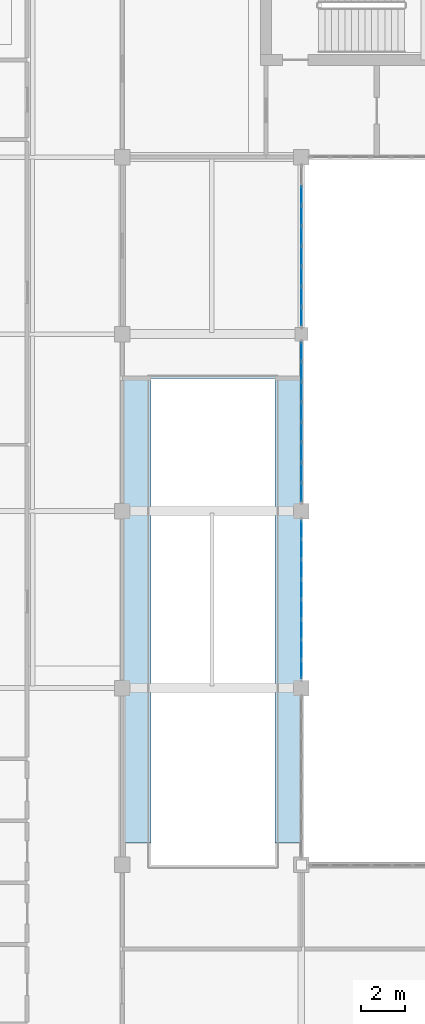
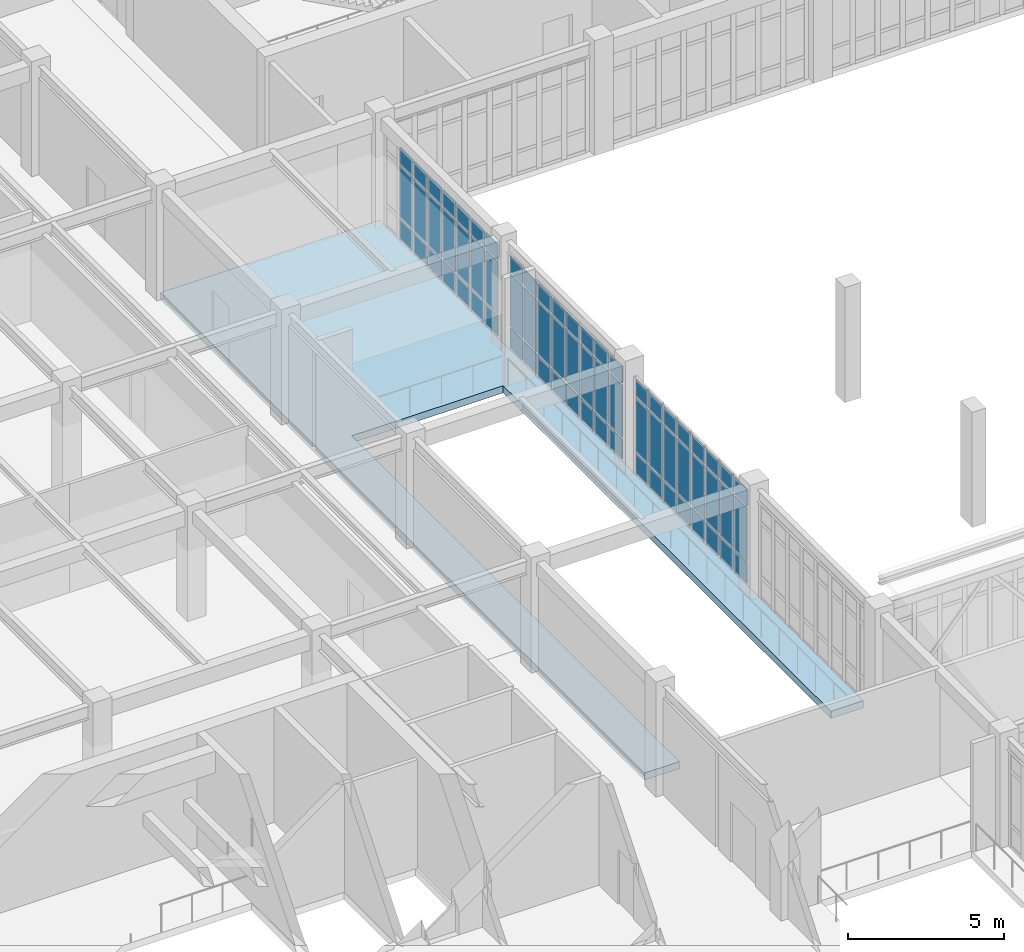
# One storey, part 40 of 67: 69 plates, 1 slab, 3 elements without a shape of their own.
"""IFC4 building model written with IfcOpenShell, lengths in metres."""

from ifc_helpers import new_model, si_unit, direction, frame, origin, origin_2d, place, context, subcontext, project, spatial, polyline, rectangle, outline, extrude, material, layer, layer_set, type_object, element, aggregate, save


model = new_model("IFC4")

# Units and contexts
model_context = context("Model", 3, precision=1e-05, world=origin(), true_north=direction((0.0, 1.0)))
body_context = subcontext(model_context, "Body", "Model", "MODEL_VIEW")
ifc_project = project(units=[si_unit("LENGTHUNIT", "METRE"), si_unit("AREAUNIT", "SQUARE_METRE"), si_unit("VOLUMEUNIT", "CUBIC_METRE"), si_unit("PLANEANGLEUNIT", "RADIAN"), si_unit("MASSUNIT", "GRAM", prefix="KILO")], contexts=[model_context])

# Site, building, storey
site_placement = place(None, origin())
site = spatial("IfcSite", under=ifc_project, at=site_placement, CompositionType="ELEMENT")
building_placement = place(site_placement, origin())
building = spatial("IfcBuilding", under=site, at=building_placement, Name="Tarnveldt Square Police Headquarters", CompositionType="ELEMENT")
storey_placement = place(building_placement, frame((0.0, 0.0, 10.199951171875)))
storey = spatial("IfcBuildingStorey", under=building, at=storey_placement, Name="L02", CompositionType="ELEMENT", Elevation=10.199951171875)

# Curtain wall, plates
ifc_material_1 = material(Name="Triple-glazed low-e laminated vision glass", Category="glass")
curtain_wall_type_1 = type_object("IfcCurtainWallType", Name="CW-WG-727x382", PredefinedType="USERDEFINED", material=ifc_material_1)
curtain_wall_1_placement = place(storey_placement, origin())
curtain_wall_1 = element("IfcCurtainWall", 1, at=curtain_wall_1_placement, inside=storey, type_object=curtain_wall_type_1, Name="L02 Curtain Wall CW-L02-075", ObjectType="GLAZED CURTAIN WALL", PredefinedType="USERDEFINED")
ifc_layer_1 = layer(ifc_material_1, 0.028076171875)
ifc_layer_set_1 = layer_set([ifc_layer_1], Name="Triple-glazed low-e laminated vision glass")
plate_type = type_object("IfcPlateType", Name="CWP-VIS-28", PredefinedType="CURTAIN_PANEL", material=ifc_layer_set_1)
plate_1_placement = place(storey_placement, frame((48.60009765625, 72.838134765625, 0.074951171875), z_axis=(0.0, 0.0, 1.0), x_axis=(0.0, 1.0, 0.0)))
plate_1 = element("IfcPlate", 2, at=plate_1_placement, type_object=plate_type, Name="CW-WG35 panel 1.1", PredefinedType="CURTAIN_PANEL", context=body_context, shape_type="SweptSolid", body=[
    extrude(rectangle(XDim=0.796142578125, YDim=0.028076171875, at=origin_2d()), origin(), (0.0, 0.0, 1.0), 0.78759765625),
])
plate_2_placement = place(storey_placement, frame((48.60009765625, 72.838134765625, 0.9375), z_axis=(0.0, 0.0, 1.0), x_axis=(0.0, 1.0, 0.0)))
plate_2 = element("IfcPlate", 3, at=plate_2_placement, type_object=plate_type, Name="CW-WG35 panel 1.2", PredefinedType="CURTAIN_PANEL", context=body_context, shape_type="SweptSolid", body=[
    extrude(rectangle(XDim=0.796142578125, YDim=0.028076171875, at=origin_2d()), origin(), (0.0, 0.0, 1.0), 2.090087890625),
])
plate_3_placement = place(storey_placement, frame((48.60009765625, 72.838134765625, 3.1025390625), z_axis=(0.0, 0.0, 1.0), x_axis=(0.0, 1.0, 0.0)))
plate_3 = element("IfcPlate", 4, at=plate_3_placement, type_object=plate_type, Name="CW-WG35 panel 1.3", PredefinedType="CURTAIN_PANEL", context=body_context, shape_type="SweptSolid", body=[
    extrude(rectangle(XDim=0.796142578125, YDim=0.028076171875, at=origin_2d()), origin(), (0.0, 0.0, 1.0), 0.637451171875),
])
plate_4_placement = place(storey_placement, frame((48.60009765625, 73.72802734375, 0.074951171875), z_axis=(0.0, 0.0, 1.0), x_axis=(0.0, 1.0, 0.0)))
plate_4 = element("IfcPlate", 5, at=plate_4_placement, type_object=plate_type, Name="CW-WG35 panel 2.1", PredefinedType="CURTAIN_PANEL", context=body_context, shape_type="SweptSolid", body=[
    extrude(rectangle(XDim=0.833740234375, YDim=0.028076171875, at=origin_2d()), origin(), (0.0, 0.0, 1.0), 0.78759765625),
])
plate_5_placement = place(storey_placement, frame((48.60009765625, 73.72802734375, 0.9375), z_axis=(0.0, 0.0, 1.0), x_axis=(0.0, 1.0, 0.0)))
plate_5 = element("IfcPlate", 6, at=plate_5_placement, type_object=plate_type, Name="CW-WG35 panel 2.2", PredefinedType="CURTAIN_PANEL", context=body_context, shape_type="SweptSolid", body=[
    extrude(rectangle(XDim=0.833740234375, YDim=0.028076171875, at=origin_2d()), origin(), (0.0, 0.0, 1.0), 2.090087890625),
])
plate_6_placement = place(storey_placement, frame((48.60009765625, 73.72802734375, 3.1025390625), z_axis=(0.0, 0.0, 1.0), x_axis=(0.0, 1.0, 0.0)))
plate_6 = element("IfcPlate", 7, at=plate_6_placement, type_object=plate_type, Name="CW-WG35 panel 2.3", PredefinedType="CURTAIN_PANEL", context=body_context, shape_type="SweptSolid", body=[
    extrude(rectangle(XDim=0.833740234375, YDim=0.028076171875, at=origin_2d()), origin(), (0.0, 0.0, 1.0), 0.637451171875),
])
plate_7_placement = place(storey_placement, frame((48.60009765625, 74.636962890625, 0.074951171875), z_axis=(0.0, 0.0, 1.0), x_axis=(0.0, 1.0, 0.0)))
plate_7 = element("IfcPlate", 8, at=plate_7_placement, type_object=plate_type, Name="CW-WG35 panel 3.1", PredefinedType="CURTAIN_PANEL", context=body_context, shape_type="SweptSolid", body=[
    extrude(rectangle(XDim=0.833740234375, YDim=0.028076171875, at=origin_2d()), origin(), (0.0, 0.0, 1.0), 0.78759765625),
])
plate_8_placement = place(storey_placement, frame((48.60009765625, 74.636962890625, 0.9375), z_axis=(0.0, 0.0, 1.0), x_axis=(0.0, 1.0, 0.0)))
plate_8 = element("IfcPlate", 9, at=plate_8_placement, type_object=plate_type, Name="CW-WG35 panel 3.2", PredefinedType="CURTAIN_PANEL", context=body_context, shape_type="SweptSolid", body=[
    extrude(rectangle(XDim=0.833740234375, YDim=0.028076171875, at=origin_2d()), origin(), (0.0, 0.0, 1.0), 2.090087890625),
])
plate_9_placement = place(storey_placement, frame((48.60009765625, 74.636962890625, 3.1025390625), z_axis=(0.0, 0.0, 1.0), x_axis=(0.0, 1.0, 0.0)))
plate_9 = element("IfcPlate", 10, at=plate_9_placement, type_object=plate_type, Name="CW-WG35 panel 3.3", PredefinedType="CURTAIN_PANEL", context=body_context, shape_type="SweptSolid", body=[
    extrude(rectangle(XDim=0.833740234375, YDim=0.028076171875, at=origin_2d()), origin(), (0.0, 0.0, 1.0), 0.637451171875),
])
plate_10_placement = place(storey_placement, frame((48.60009765625, 75.545654296875, 0.074951171875), z_axis=(0.0, 0.0, 1.0), x_axis=(0.0, 1.0, 0.0)))
plate_10 = element("IfcPlate", 11, at=plate_10_placement, type_object=plate_type, Name="CW-WG35 panel 4.1", PredefinedType="CURTAIN_PANEL", context=body_context, shape_type="SweptSolid", body=[
    extrude(rectangle(XDim=0.833740234375, YDim=0.028076171875, at=origin_2d()), origin(), (0.0, 0.0, 1.0), 0.78759765625),
])
plate_11_placement = place(storey_placement, frame((48.60009765625, 75.545654296875, 0.9375), z_axis=(0.0, 0.0, 1.0), x_axis=(0.0, 1.0, 0.0)))
plate_11 = element("IfcPlate", 12, at=plate_11_placement, type_object=plate_type, Name="CW-WG35 panel 4.2", PredefinedType="CURTAIN_PANEL", context=body_context, shape_type="SweptSolid", body=[
    extrude(rectangle(XDim=0.833740234375, YDim=0.028076171875, at=origin_2d()), origin(), (0.0, 0.0, 1.0), 2.090087890625),
])
plate_12_placement = place(storey_placement, frame((48.60009765625, 75.545654296875, 3.1025390625), z_axis=(0.0, 0.0, 1.0), x_axis=(0.0, 1.0, 0.0)))
plate_12 = element("IfcPlate", 13, at=plate_12_placement, type_object=plate_type, Name="CW-WG35 panel 4.3", PredefinedType="CURTAIN_PANEL", context=body_context, shape_type="SweptSolid", body=[
    extrude(rectangle(XDim=0.833740234375, YDim=0.028076171875, at=origin_2d()), origin(), (0.0, 0.0, 1.0), 0.637451171875),
])
plate_13_placement = place(storey_placement, frame((48.60009765625, 76.454345703125, 0.074951171875), z_axis=(0.0, 0.0, 1.0), x_axis=(0.0, 1.0, 0.0)))
plate_13 = element("IfcPlate", 14, at=plate_13_placement, type_object=plate_type, Name="CW-WG35 panel 5.1", PredefinedType="CURTAIN_PANEL", context=body_context, shape_type="SweptSolid", body=[
    extrude(rectangle(XDim=0.833740234375, YDim=0.028076171875, at=origin_2d()), origin(), (0.0, 0.0, 1.0), 0.78759765625),
])
plate_14_placement = place(storey_placement, frame((48.60009765625, 76.454345703125, 0.9375), z_axis=(0.0, 0.0, 1.0), x_axis=(0.0, 1.0, 0.0)))
plate_14 = element("IfcPlate", 15, at=plate_14_placement, type_object=plate_type, Name="CW-WG35 panel 5.2", PredefinedType="CURTAIN_PANEL", context=body_context, shape_type="SweptSolid", body=[
    extrude(rectangle(XDim=0.833740234375, YDim=0.028076171875, at=origin_2d()), origin(), (0.0, 0.0, 1.0), 2.090087890625),
])
plate_15_placement = place(storey_placement, frame((48.60009765625, 76.454345703125, 3.1025390625), z_axis=(0.0, 0.0, 1.0), x_axis=(0.0, 1.0, 0.0)))
plate_15 = element("IfcPlate", 16, at=plate_15_placement, type_object=plate_type, Name="CW-WG35 panel 5.3", PredefinedType="CURTAIN_PANEL", context=body_context, shape_type="SweptSolid", body=[
    extrude(rectangle(XDim=0.833740234375, YDim=0.028076171875, at=origin_2d()), origin(), (0.0, 0.0, 1.0), 0.637451171875),
])
plate_16_placement = place(storey_placement, frame((48.60009765625, 77.363037109375, 0.074951171875), z_axis=(0.0, 0.0, 1.0), x_axis=(0.0, 1.0, 0.0)))
plate_16 = element("IfcPlate", 17, at=plate_16_placement, type_object=plate_type, Name="CW-WG35 panel 6.1", PredefinedType="CURTAIN_PANEL", context=body_context, shape_type="SweptSolid", body=[
    extrude(rectangle(XDim=0.833740234375, YDim=0.028076171875, at=origin_2d()), origin(), (0.0, 0.0, 1.0), 0.78759765625),
])
plate_17_placement = place(storey_placement, frame((48.60009765625, 77.363037109375, 0.9375), z_axis=(0.0, 0.0, 1.0), x_axis=(0.0, 1.0, 0.0)))
plate_17 = element("IfcPlate", 18, at=plate_17_placement, type_object=plate_type, Name="CW-WG35 panel 6.2", PredefinedType="CURTAIN_PANEL", context=body_context, shape_type="SweptSolid", body=[
    extrude(rectangle(XDim=0.833740234375, YDim=0.028076171875, at=origin_2d()), origin(), (0.0, 0.0, 1.0), 2.090087890625),
])
plate_18_placement = place(storey_placement, frame((48.60009765625, 77.363037109375, 3.1025390625), z_axis=(0.0, 0.0, 1.0), x_axis=(0.0, 1.0, 0.0)))
plate_18 = element("IfcPlate", 19, at=plate_18_placement, type_object=plate_type, Name="CW-WG35 panel 6.3", PredefinedType="CURTAIN_PANEL", context=body_context, shape_type="SweptSolid", body=[
    extrude(rectangle(XDim=0.833740234375, YDim=0.028076171875, at=origin_2d()), origin(), (0.0, 0.0, 1.0), 0.637451171875),
])
plate_19_placement = place(storey_placement, frame((48.60009765625, 78.27197265625, 0.074951171875), z_axis=(0.0, 0.0, 1.0), x_axis=(0.0, 1.0, 0.0)))
plate_19 = element("IfcPlate", 20, at=plate_19_placement, type_object=plate_type, Name="CW-WG35 panel 7.1", PredefinedType="CURTAIN_PANEL", context=body_context, shape_type="SweptSolid", body=[
    extrude(rectangle(XDim=0.833740234375, YDim=0.028076171875, at=origin_2d()), origin(), (0.0, 0.0, 1.0), 0.78759765625),
])
plate_20_placement = place(storey_placement, frame((48.60009765625, 78.27197265625, 0.9375), z_axis=(0.0, 0.0, 1.0), x_axis=(0.0, 1.0, 0.0)))
plate_20 = element("IfcPlate", 21, at=plate_20_placement, type_object=plate_type, Name="CW-WG35 panel 7.2", PredefinedType="CURTAIN_PANEL", context=body_context, shape_type="SweptSolid", body=[
    extrude(rectangle(XDim=0.833740234375, YDim=0.028076171875, at=origin_2d()), origin(), (0.0, 0.0, 1.0), 2.090087890625),
])
plate_21_placement = place(storey_placement, frame((48.60009765625, 78.27197265625, 3.1025390625), z_axis=(0.0, 0.0, 1.0), x_axis=(0.0, 1.0, 0.0)))
plate_21 = element("IfcPlate", 22, at=plate_21_placement, type_object=plate_type, Name="CW-WG35 panel 7.3", PredefinedType="CURTAIN_PANEL", context=body_context, shape_type="SweptSolid", body=[
    extrude(rectangle(XDim=0.833740234375, YDim=0.028076171875, at=origin_2d()), origin(), (0.0, 0.0, 1.0), 0.637451171875),
])
plate_22_placement = place(storey_placement, frame((48.60009765625, 79.161865234375, 0.074951171875), z_axis=(0.0, 0.0, 1.0), x_axis=(0.0, 1.0, 0.0)))
plate_22 = element("IfcPlate", 23, at=plate_22_placement, type_object=plate_type, Name="CW-WG35 panel 8.1", PredefinedType="CURTAIN_PANEL", context=body_context, shape_type="SweptSolid", body=[
    extrude(rectangle(XDim=0.796142578125, YDim=0.028076171875, at=origin_2d()), origin(), (0.0, 0.0, 1.0), 0.78759765625),
])
plate_23_placement = place(storey_placement, frame((48.60009765625, 79.161865234375, 0.9375), z_axis=(0.0, 0.0, 1.0), x_axis=(0.0, 1.0, 0.0)))
plate_23 = element("IfcPlate", 24, at=plate_23_placement, type_object=plate_type, Name="CW-WG35 panel 8.2", PredefinedType="CURTAIN_PANEL", context=body_context, shape_type="SweptSolid", body=[
    extrude(rectangle(XDim=0.796142578125, YDim=0.028076171875, at=origin_2d()), origin(), (0.0, 0.0, 1.0), 2.090087890625),
])
plate_24_placement = place(storey_placement, frame((48.60009765625, 79.161865234375, 3.1025390625), z_axis=(0.0, 0.0, 1.0), x_axis=(0.0, 1.0, 0.0)))
plate_24 = element("IfcPlate", 25, at=plate_24_placement, type_object=plate_type, Name="CW-WG35 panel 8.3", PredefinedType="CURTAIN_PANEL", context=body_context, shape_type="SweptSolid", body=[
    extrude(rectangle(XDim=0.796142578125, YDim=0.028076171875, at=origin_2d()), origin(), (0.0, 0.0, 1.0), 0.637451171875),
])
aggregate(curtain_wall_1, [plate_1, plate_2, plate_3, plate_4, plate_5, plate_6, plate_7, plate_8, plate_9, plate_10, plate_11, plate_12, plate_13, plate_14, plate_15, plate_16, plate_17, plate_18, plate_19, plate_20, plate_21, plate_22, plate_23, plate_24])

curtain_wall_type_2 = type_object("IfcCurtainWallType", Name="CW-WG-732x377", PredefinedType="USERDEFINED", material=ifc_material_1)
curtain_wall_2_placement = place(storey_placement, origin())
curtain_wall_2 = element("IfcCurtainWall", 26, at=curtain_wall_2_placement, inside=storey, type_object=curtain_wall_type_2, Name="L02 Curtain Wall CW-L02-076", ObjectType="GLAZED CURTAIN WALL", PredefinedType="USERDEFINED")
plate_25_placement = place(storey_placement, frame((48.60009765625, 80.84130859375, 0.074951171875), z_axis=(0.0, 0.0, 1.0), x_axis=(0.0, 1.0, 0.0)))
plate_25 = element("IfcPlate", 27, at=plate_25_placement, type_object=plate_type, Name="CW-WG36 panel 1.1", PredefinedType="CURTAIN_PANEL", context=body_context, shape_type="SweptSolid", body=[
    extrude(rectangle(XDim=0.802490234375, YDim=0.028076171875, at=origin_2d()), origin(), (0.0, 0.0, 1.0), 0.78759765625),
])
plate_26_placement = place(storey_placement, frame((48.60009765625, 80.84130859375, 0.9375), z_axis=(0.0, 0.0, 1.0), x_axis=(0.0, 1.0, 0.0)))
plate_26 = element("IfcPlate", 28, at=plate_26_placement, type_object=plate_type, Name="CW-WG36 panel 1.2", PredefinedType="CURTAIN_PANEL", context=body_context, shape_type="SweptSolid", body=[
    extrude(rectangle(XDim=0.802490234375, YDim=0.028076171875, at=origin_2d()), origin(), (0.0, 0.0, 1.0), 2.0439453125),
])
plate_27_placement = place(storey_placement, frame((48.60009765625, 80.84130859375, 3.056640625), z_axis=(0.0, 0.0, 1.0), x_axis=(0.0, 1.0, 0.0)))
plate_27 = element("IfcPlate", 29, at=plate_27_placement, type_object=plate_type, Name="CW-WG36 panel 1.3", PredefinedType="CURTAIN_PANEL", context=body_context, shape_type="SweptSolid", body=[
    extrude(rectangle(XDim=0.802490234375, YDim=0.028076171875, at=origin_2d()), origin(), (0.0, 0.0, 1.0), 0.637451171875),
])
plate_28_placement = place(storey_placement, frame((48.60009765625, 81.737548828125, 0.074951171875), z_axis=(0.0, 0.0, 1.0), x_axis=(0.0, 1.0, 0.0)))
plate_28 = element("IfcPlate", 30, at=plate_28_placement, type_object=plate_type, Name="CW-WG36 panel 2.1", PredefinedType="CURTAIN_PANEL", context=body_context, shape_type="SweptSolid", body=[
    extrude(rectangle(XDim=0.840087890625, YDim=0.028076171875, at=origin_2d()), origin(), (0.0, 0.0, 1.0), 0.78759765625),
])
plate_29_placement = place(storey_placement, frame((48.60009765625, 81.737548828125, 0.9375), z_axis=(0.0, 0.0, 1.0), x_axis=(0.0, 1.0, 0.0)))
plate_29 = element("IfcPlate", 31, at=plate_29_placement, type_object=plate_type, Name="CW-WG36 panel 2.2", PredefinedType="CURTAIN_PANEL", context=body_context, shape_type="SweptSolid", body=[
    extrude(rectangle(XDim=0.840087890625, YDim=0.028076171875, at=origin_2d()), origin(), (0.0, 0.0, 1.0), 2.0439453125),
])
plate_30_placement = place(storey_placement, frame((48.60009765625, 81.737548828125, 3.056640625), z_axis=(0.0, 0.0, 1.0), x_axis=(0.0, 1.0, 0.0)))
plate_30 = element("IfcPlate", 32, at=plate_30_placement, type_object=plate_type, Name="CW-WG36 panel 2.3", PredefinedType="CURTAIN_PANEL", context=body_context, shape_type="SweptSolid", body=[
    extrude(rectangle(XDim=0.840087890625, YDim=0.028076171875, at=origin_2d()), origin(), (0.0, 0.0, 1.0), 0.637451171875),
])
plate_31_placement = place(storey_placement, frame((48.60009765625, 82.652587890625, 0.074951171875), z_axis=(0.0, 0.0, 1.0), x_axis=(0.0, 1.0, 0.0)))
plate_31 = element("IfcPlate", 33, at=plate_31_placement, type_object=plate_type, Name="CW-WG36 panel 3.1", PredefinedType="CURTAIN_PANEL", context=body_context, shape_type="SweptSolid", body=[
    extrude(rectangle(XDim=0.840087890625, YDim=0.028076171875, at=origin_2d()), origin(), (0.0, 0.0, 1.0), 0.78759765625),
])
plate_32_placement = place(storey_placement, frame((48.60009765625, 82.652587890625, 0.9375), z_axis=(0.0, 0.0, 1.0), x_axis=(0.0, 1.0, 0.0)))
plate_32 = element("IfcPlate", 34, at=plate_32_placement, type_object=plate_type, Name="CW-WG36 panel 3.2", PredefinedType="CURTAIN_PANEL", context=body_context, shape_type="SweptSolid", body=[
    extrude(rectangle(XDim=0.840087890625, YDim=0.028076171875, at=origin_2d()), origin(), (0.0, 0.0, 1.0), 2.0439453125),
])
plate_33_placement = place(storey_placement, frame((48.60009765625, 82.652587890625, 3.056640625), z_axis=(0.0, 0.0, 1.0), x_axis=(0.0, 1.0, 0.0)))
plate_33 = element("IfcPlate", 35, at=plate_33_placement, type_object=plate_type, Name="CW-WG36 panel 3.3", PredefinedType="CURTAIN_PANEL", context=body_context, shape_type="SweptSolid", body=[
    extrude(rectangle(XDim=0.840087890625, YDim=0.028076171875, at=origin_2d()), origin(), (0.0, 0.0, 1.0), 0.637451171875),
])
plate_34_placement = place(storey_placement, frame((48.60009765625, 83.5673828125, 0.074951171875), z_axis=(0.0, 0.0, 1.0), x_axis=(0.0, 1.0, 0.0)))
plate_34 = element("IfcPlate", 36, at=plate_34_placement, type_object=plate_type, Name="CW-WG36 panel 4.1", PredefinedType="CURTAIN_PANEL", context=body_context, shape_type="SweptSolid", body=[
    extrude(rectangle(XDim=0.840087890625, YDim=0.028076171875, at=origin_2d()), origin(), (0.0, 0.0, 1.0), 0.78759765625),
])
plate_35_placement = place(storey_placement, frame((48.60009765625, 83.5673828125, 0.9375), z_axis=(0.0, 0.0, 1.0), x_axis=(0.0, 1.0, 0.0)))
plate_35 = element("IfcPlate", 37, at=plate_35_placement, type_object=plate_type, Name="CW-WG36 panel 4.2", PredefinedType="CURTAIN_PANEL", context=body_context, shape_type="SweptSolid", body=[
    extrude(rectangle(XDim=0.840087890625, YDim=0.028076171875, at=origin_2d()), origin(), (0.0, 0.0, 1.0), 2.0439453125),
])
plate_36_placement = place(storey_placement, frame((48.60009765625, 83.5673828125, 3.056640625), z_axis=(0.0, 0.0, 1.0), x_axis=(0.0, 1.0, 0.0)))
plate_36 = element("IfcPlate", 38, at=plate_36_placement, type_object=plate_type, Name="CW-WG36 panel 4.3", PredefinedType="CURTAIN_PANEL", context=body_context, shape_type="SweptSolid", body=[
    extrude(rectangle(XDim=0.840087890625, YDim=0.028076171875, at=origin_2d()), origin(), (0.0, 0.0, 1.0), 0.637451171875),
])
plate_37_placement = place(storey_placement, frame((48.60009765625, 84.482421875, 0.074951171875), z_axis=(0.0, 0.0, 1.0), x_axis=(0.0, 1.0, 0.0)))
plate_37 = element("IfcPlate", 39, at=plate_37_placement, type_object=plate_type, Name="CW-WG36 panel 5.1", PredefinedType="CURTAIN_PANEL", context=body_context, shape_type="SweptSolid", body=[
    extrude(rectangle(XDim=0.840087890625, YDim=0.028076171875, at=origin_2d()), origin(), (0.0, 0.0, 1.0), 0.78759765625),
])
plate_38_placement = place(storey_placement, frame((48.60009765625, 84.482421875, 0.9375), z_axis=(0.0, 0.0, 1.0), x_axis=(0.0, 1.0, 0.0)))
plate_38 = element("IfcPlate", 40, at=plate_38_placement, type_object=plate_type, Name="CW-WG36 panel 5.2", PredefinedType="CURTAIN_PANEL", context=body_context, shape_type="SweptSolid", body=[
    extrude(rectangle(XDim=0.840087890625, YDim=0.028076171875, at=origin_2d()), origin(), (0.0, 0.0, 1.0), 2.0439453125),
])
plate_39_placement = place(storey_placement, frame((48.60009765625, 84.482421875, 3.056640625), z_axis=(0.0, 0.0, 1.0), x_axis=(0.0, 1.0, 0.0)))
plate_39 = element("IfcPlate", 41, at=plate_39_placement, type_object=plate_type, Name="CW-WG36 panel 5.3", PredefinedType="CURTAIN_PANEL", context=body_context, shape_type="SweptSolid", body=[
    extrude(rectangle(XDim=0.840087890625, YDim=0.028076171875, at=origin_2d()), origin(), (0.0, 0.0, 1.0), 0.637451171875),
])
plate_40_placement = place(storey_placement, frame((48.60009765625, 85.3974609375, 0.074951171875), z_axis=(0.0, 0.0, 1.0), x_axis=(0.0, 1.0, 0.0)))
plate_40 = element("IfcPlate", 42, at=plate_40_placement, type_object=plate_type, Name="CW-WG36 panel 6.1", PredefinedType="CURTAIN_PANEL", context=body_context, shape_type="SweptSolid", body=[
    extrude(rectangle(XDim=0.840087890625, YDim=0.028076171875, at=origin_2d()), origin(), (0.0, 0.0, 1.0), 0.78759765625),
])
plate_41_placement = place(storey_placement, frame((48.60009765625, 85.3974609375, 0.9375), z_axis=(0.0, 0.0, 1.0), x_axis=(0.0, 1.0, 0.0)))
plate_41 = element("IfcPlate", 43, at=plate_41_placement, type_object=plate_type, Name="CW-WG36 panel 6.2", PredefinedType="CURTAIN_PANEL", context=body_context, shape_type="SweptSolid", body=[
    extrude(rectangle(XDim=0.840087890625, YDim=0.028076171875, at=origin_2d()), origin(), (0.0, 0.0, 1.0), 2.0439453125),
])
plate_42_placement = place(storey_placement, frame((48.60009765625, 85.3974609375, 3.056640625), z_axis=(0.0, 0.0, 1.0), x_axis=(0.0, 1.0, 0.0)))
plate_42 = element("IfcPlate", 44, at=plate_42_placement, type_object=plate_type, Name="CW-WG36 panel 6.3", PredefinedType="CURTAIN_PANEL", context=body_context, shape_type="SweptSolid", body=[
    extrude(rectangle(XDim=0.840087890625, YDim=0.028076171875, at=origin_2d()), origin(), (0.0, 0.0, 1.0), 0.637451171875),
])
plate_43_placement = place(storey_placement, frame((48.60009765625, 86.3125, 0.074951171875), z_axis=(0.0, 0.0, 1.0), x_axis=(0.0, 1.0, 0.0)))
plate_43 = element("IfcPlate", 45, at=plate_43_placement, type_object=plate_type, Name="CW-WG36 panel 7.1", PredefinedType="CURTAIN_PANEL", context=body_context, shape_type="SweptSolid", body=[
    extrude(rectangle(XDim=0.840087890625, YDim=0.028076171875, at=origin_2d()), origin(), (0.0, 0.0, 1.0), 0.78759765625),
])
plate_44_placement = place(storey_placement, frame((48.60009765625, 86.3125, 0.9375), z_axis=(0.0, 0.0, 1.0), x_axis=(0.0, 1.0, 0.0)))
plate_44 = element("IfcPlate", 46, at=plate_44_placement, type_object=plate_type, Name="CW-WG36 panel 7.2", PredefinedType="CURTAIN_PANEL", context=body_context, shape_type="SweptSolid", body=[
    extrude(rectangle(XDim=0.840087890625, YDim=0.028076171875, at=origin_2d()), origin(), (0.0, 0.0, 1.0), 2.0439453125),
])
plate_45_placement = place(storey_placement, frame((48.60009765625, 86.3125, 3.056640625), z_axis=(0.0, 0.0, 1.0), x_axis=(0.0, 1.0, 0.0)))
plate_45 = element("IfcPlate", 47, at=plate_45_placement, type_object=plate_type, Name="CW-WG36 panel 7.3", PredefinedType="CURTAIN_PANEL", context=body_context, shape_type="SweptSolid", body=[
    extrude(rectangle(XDim=0.840087890625, YDim=0.028076171875, at=origin_2d()), origin(), (0.0, 0.0, 1.0), 0.637451171875),
])
plate_46_placement = place(storey_placement, frame((48.60009765625, 87.208740234375, 0.074951171875), z_axis=(0.0, 0.0, 1.0), x_axis=(0.0, 1.0, 0.0)))
plate_46 = element("IfcPlate", 48, at=plate_46_placement, type_object=plate_type, Name="CW-WG36 panel 8.1", PredefinedType="CURTAIN_PANEL", context=body_context, shape_type="SweptSolid", body=[
    extrude(rectangle(XDim=0.802490234375, YDim=0.028076171875, at=origin_2d()), origin(), (0.0, 0.0, 1.0), 0.78759765625),
])
plate_47_placement = place(storey_placement, frame((48.60009765625, 87.208740234375, 0.9375), z_axis=(0.0, 0.0, 1.0), x_axis=(0.0, 1.0, 0.0)))
plate_47 = element("IfcPlate", 49, at=plate_47_placement, type_object=plate_type, Name="CW-WG36 panel 8.2", PredefinedType="CURTAIN_PANEL", context=body_context, shape_type="SweptSolid", body=[
    extrude(rectangle(XDim=0.802490234375, YDim=0.028076171875, at=origin_2d()), origin(), (0.0, 0.0, 1.0), 2.0439453125),
])
plate_48_placement = place(storey_placement, frame((48.60009765625, 87.208740234375, 3.056640625), z_axis=(0.0, 0.0, 1.0), x_axis=(0.0, 1.0, 0.0)))
plate_48 = element("IfcPlate", 50, at=plate_48_placement, type_object=plate_type, Name="CW-WG36 panel 8.3", PredefinedType="CURTAIN_PANEL", context=body_context, shape_type="SweptSolid", body=[
    extrude(rectangle(XDim=0.802490234375, YDim=0.028076171875, at=origin_2d()), origin(), (0.0, 0.0, 1.0), 0.637451171875),
])
aggregate(curtain_wall_2, [plate_25, plate_26, plate_27, plate_28, plate_29, plate_30, plate_31, plate_32, plate_33, plate_34, plate_35, plate_36, plate_37, plate_38, plate_39, plate_40, plate_41, plate_42, plate_43, plate_44, plate_45, plate_46, plate_47, plate_48])

curtain_wall_type_3 = type_object("IfcCurtainWallType", Name="CW-WG-732x373", PredefinedType="USERDEFINED", material=ifc_material_1)
curtain_wall_3_placement = place(storey_placement, origin())
curtain_wall_3 = element("IfcCurtainWall", 51, at=curtain_wall_3_placement, inside=storey, type_object=curtain_wall_type_3, Name="L02 Curtain Wall CW-L02-077", ObjectType="GLAZED CURTAIN WALL", PredefinedType="USERDEFINED")
plate_49_placement = place(storey_placement, frame((48.60009765625, 88.791259765625, 0.074951171875), z_axis=(0.0, 0.0, 1.0), x_axis=(0.0, 1.0, 0.0)))
plate_49 = element("IfcPlate", 52, at=plate_49_placement, type_object=plate_type, Name="CW-WG37 panel 1.1", PredefinedType="CURTAIN_PANEL", context=body_context, shape_type="SweptSolid", body=[
    extrude(rectangle(XDim=0.802490234375, YDim=0.028076171875, at=origin_2d()), origin(), (0.0, 0.0, 1.0), 0.78759765625),
])
plate_50_placement = place(storey_placement, frame((48.60009765625, 88.791259765625, 0.9375), z_axis=(0.0, 0.0, 1.0), x_axis=(0.0, 1.0, 0.0)))
plate_50 = element("IfcPlate", 53, at=plate_50_placement, type_object=plate_type, Name="CW-WG37 panel 1.2", PredefinedType="CURTAIN_PANEL", context=body_context, shape_type="SweptSolid", body=[
    extrude(rectangle(XDim=0.802490234375, YDim=0.028076171875, at=origin_2d()), origin(), (0.0, 0.0, 1.0), 2.007080078125),
])
plate_51_placement = place(storey_placement, frame((48.60009765625, 88.791259765625, 3.01953125), z_axis=(0.0, 0.0, 1.0), x_axis=(0.0, 1.0, 0.0)))
plate_51 = element("IfcPlate", 54, at=plate_51_placement, type_object=plate_type, Name="CW-WG37 panel 1.3", PredefinedType="CURTAIN_PANEL", context=body_context, shape_type="SweptSolid", body=[
    extrude(rectangle(XDim=0.802490234375, YDim=0.028076171875, at=origin_2d()), origin(), (0.0, 0.0, 1.0), 0.637451171875),
])
plate_52_placement = place(storey_placement, frame((48.60009765625, 89.6875, 0.074951171875), z_axis=(0.0, 0.0, 1.0), x_axis=(0.0, 1.0, 0.0)))
plate_52 = element("IfcPlate", 55, at=plate_52_placement, type_object=plate_type, Name="CW-WG37 panel 2.1", PredefinedType="CURTAIN_PANEL", context=body_context, shape_type="SweptSolid", body=[
    extrude(rectangle(XDim=0.840087890625, YDim=0.028076171875, at=origin_2d()), origin(), (0.0, 0.0, 1.0), 0.78759765625),
])
plate_53_placement = place(storey_placement, frame((48.60009765625, 89.6875, 0.9375), z_axis=(0.0, 0.0, 1.0), x_axis=(0.0, 1.0, 0.0)))
plate_53 = element("IfcPlate", 56, at=plate_53_placement, type_object=plate_type, Name="CW-WG37 panel 2.2", PredefinedType="CURTAIN_PANEL", context=body_context, shape_type="SweptSolid", body=[
    extrude(rectangle(XDim=0.840087890625, YDim=0.028076171875, at=origin_2d()), origin(), (0.0, 0.0, 1.0), 2.007080078125),
])
plate_54_placement = place(storey_placement, frame((48.60009765625, 89.6875, 3.01953125), z_axis=(0.0, 0.0, 1.0), x_axis=(0.0, 1.0, 0.0)))
plate_54 = element("IfcPlate", 57, at=plate_54_placement, type_object=plate_type, Name="CW-WG37 panel 2.3", PredefinedType="CURTAIN_PANEL", context=body_context, shape_type="SweptSolid", body=[
    extrude(rectangle(XDim=0.840087890625, YDim=0.028076171875, at=origin_2d()), origin(), (0.0, 0.0, 1.0), 0.637451171875),
])
plate_55_placement = place(storey_placement, frame((48.60009765625, 90.6025390625, 0.074951171875), z_axis=(0.0, 0.0, 1.0), x_axis=(0.0, 1.0, 0.0)))
plate_55 = element("IfcPlate", 58, at=plate_55_placement, type_object=plate_type, Name="CW-WG37 panel 3.1", PredefinedType="CURTAIN_PANEL", context=body_context, shape_type="SweptSolid", body=[
    extrude(rectangle(XDim=0.840087890625, YDim=0.028076171875, at=origin_2d()), origin(), (0.0, 0.0, 1.0), 0.78759765625),
])
plate_56_placement = place(storey_placement, frame((48.60009765625, 90.6025390625, 0.9375), z_axis=(0.0, 0.0, 1.0), x_axis=(0.0, 1.0, 0.0)))
plate_56 = element("IfcPlate", 59, at=plate_56_placement, type_object=plate_type, Name="CW-WG37 panel 3.2", PredefinedType="CURTAIN_PANEL", context=body_context, shape_type="SweptSolid", body=[
    extrude(rectangle(XDim=0.840087890625, YDim=0.028076171875, at=origin_2d()), origin(), (0.0, 0.0, 1.0), 2.007080078125),
])
plate_57_placement = place(storey_placement, frame((48.60009765625, 90.6025390625, 3.01953125), z_axis=(0.0, 0.0, 1.0), x_axis=(0.0, 1.0, 0.0)))
plate_57 = element("IfcPlate", 60, at=plate_57_placement, type_object=plate_type, Name="CW-WG37 panel 3.3", PredefinedType="CURTAIN_PANEL", context=body_context, shape_type="SweptSolid", body=[
    extrude(rectangle(XDim=0.840087890625, YDim=0.028076171875, at=origin_2d()), origin(), (0.0, 0.0, 1.0), 0.637451171875),
])
plate_58_placement = place(storey_placement, frame((48.60009765625, 91.517578125, 0.074951171875), z_axis=(0.0, 0.0, 1.0), x_axis=(0.0, 1.0, 0.0)))
plate_58 = element("IfcPlate", 61, at=plate_58_placement, type_object=plate_type, Name="CW-WG37 panel 4.1", PredefinedType="CURTAIN_PANEL", context=body_context, shape_type="SweptSolid", body=[
    extrude(rectangle(XDim=0.840087890625, YDim=0.028076171875, at=origin_2d()), origin(), (0.0, 0.0, 1.0), 0.78759765625),
])
plate_59_placement = place(storey_placement, frame((48.60009765625, 91.517578125, 0.9375), z_axis=(0.0, 0.0, 1.0), x_axis=(0.0, 1.0, 0.0)))
plate_59 = element("IfcPlate", 62, at=plate_59_placement, type_object=plate_type, Name="CW-WG37 panel 4.2", PredefinedType="CURTAIN_PANEL", context=body_context, shape_type="SweptSolid", body=[
    extrude(rectangle(XDim=0.840087890625, YDim=0.028076171875, at=origin_2d()), origin(), (0.0, 0.0, 1.0), 2.007080078125),
])
plate_60_placement = place(storey_placement, frame((48.60009765625, 91.517578125, 3.01953125), z_axis=(0.0, 0.0, 1.0), x_axis=(0.0, 1.0, 0.0)))
plate_60 = element("IfcPlate", 63, at=plate_60_placement, type_object=plate_type, Name="CW-WG37 panel 4.3", PredefinedType="CURTAIN_PANEL", context=body_context, shape_type="SweptSolid", body=[
    extrude(rectangle(XDim=0.840087890625, YDim=0.028076171875, at=origin_2d()), origin(), (0.0, 0.0, 1.0), 0.637451171875),
])
plate_61_placement = place(storey_placement, frame((48.60009765625, 92.4326171875, 0.074951171875), z_axis=(0.0, 0.0, 1.0), x_axis=(0.0, 1.0, 0.0)))
plate_61 = element("IfcPlate", 64, at=plate_61_placement, type_object=plate_type, Name="CW-WG37 panel 5.1", PredefinedType="CURTAIN_PANEL", context=body_context, shape_type="SweptSolid", body=[
    extrude(rectangle(XDim=0.840087890625, YDim=0.028076171875, at=origin_2d()), origin(), (0.0, 0.0, 1.0), 0.78759765625),
])
plate_62_placement = place(storey_placement, frame((48.60009765625, 92.4326171875, 0.9375), z_axis=(0.0, 0.0, 1.0), x_axis=(0.0, 1.0, 0.0)))
plate_62 = element("IfcPlate", 65, at=plate_62_placement, type_object=plate_type, Name="CW-WG37 panel 5.2", PredefinedType="CURTAIN_PANEL", context=body_context, shape_type="SweptSolid", body=[
    extrude(rectangle(XDim=0.840087890625, YDim=0.028076171875, at=origin_2d()), origin(), (0.0, 0.0, 1.0), 2.007080078125),
])
plate_63_placement = place(storey_placement, frame((48.60009765625, 92.4326171875, 3.01953125), z_axis=(0.0, 0.0, 1.0), x_axis=(0.0, 1.0, 0.0)))
plate_63 = element("IfcPlate", 66, at=plate_63_placement, type_object=plate_type, Name="CW-WG37 panel 5.3", PredefinedType="CURTAIN_PANEL", context=body_context, shape_type="SweptSolid", body=[
    extrude(rectangle(XDim=0.840087890625, YDim=0.028076171875, at=origin_2d()), origin(), (0.0, 0.0, 1.0), 0.637451171875),
])
plate_64_placement = place(storey_placement, frame((48.60009765625, 93.347412109375, 0.074951171875), z_axis=(0.0, 0.0, 1.0), x_axis=(0.0, 1.0, 0.0)))
plate_64 = element("IfcPlate", 67, at=plate_64_placement, type_object=plate_type, Name="CW-WG37 panel 6.1", PredefinedType="CURTAIN_PANEL", context=body_context, shape_type="SweptSolid", body=[
    extrude(rectangle(XDim=0.840087890625, YDim=0.028076171875, at=origin_2d()), origin(), (0.0, 0.0, 1.0), 0.78759765625),
])
plate_65_placement = place(storey_placement, frame((48.60009765625, 93.347412109375, 0.9375), z_axis=(0.0, 0.0, 1.0), x_axis=(0.0, 1.0, 0.0)))
plate_65 = element("IfcPlate", 68, at=plate_65_placement, type_object=plate_type, Name="CW-WG37 panel 6.2", PredefinedType="CURTAIN_PANEL", context=body_context, shape_type="SweptSolid", body=[
    extrude(rectangle(XDim=0.840087890625, YDim=0.028076171875, at=origin_2d()), origin(), (0.0, 0.0, 1.0), 2.007080078125),
])
plate_66_placement = place(storey_placement, frame((48.60009765625, 93.347412109375, 3.01953125), z_axis=(0.0, 0.0, 1.0), x_axis=(0.0, 1.0, 0.0)))
plate_66 = element("IfcPlate", 69, at=plate_66_placement, type_object=plate_type, Name="CW-WG37 panel 6.3", PredefinedType="CURTAIN_PANEL", context=body_context, shape_type="SweptSolid", body=[
    extrude(rectangle(XDim=0.840087890625, YDim=0.028076171875, at=origin_2d()), origin(), (0.0, 0.0, 1.0), 0.637451171875),
])
plate_67_placement = place(storey_placement, frame((48.60009765625, 94.262451171875, 0.074951171875), z_axis=(0.0, 0.0, 1.0), x_axis=(0.0, 1.0, 0.0)))
plate_67 = element("IfcPlate", 70, at=plate_67_placement, type_object=plate_type, Name="CW-WG37 panel 7.1", PredefinedType="CURTAIN_PANEL", context=body_context, shape_type="SweptSolid", body=[
    extrude(rectangle(XDim=0.840087890625, YDim=0.028076171875, at=origin_2d()), origin(), (0.0, 0.0, 1.0), 0.78759765625),
])
plate_68_placement = place(storey_placement, frame((48.60009765625, 94.262451171875, 0.9375), z_axis=(0.0, 0.0, 1.0), x_axis=(0.0, 1.0, 0.0)))
plate_68 = element("IfcPlate", 71, at=plate_68_placement, type_object=plate_type, Name="CW-WG37 panel 7.2", PredefinedType="CURTAIN_PANEL", context=body_context, shape_type="SweptSolid", body=[
    extrude(rectangle(XDim=0.840087890625, YDim=0.028076171875, at=origin_2d()), origin(), (0.0, 0.0, 1.0), 2.007080078125),
])
plate_69_placement = place(storey_placement, frame((48.60009765625, 94.262451171875, 3.01953125), z_axis=(0.0, 0.0, 1.0), x_axis=(0.0, 1.0, 0.0)))
plate_69 = element("IfcPlate", 72, at=plate_69_placement, type_object=plate_type, Name="CW-WG37 panel 7.3", PredefinedType="CURTAIN_PANEL", context=body_context, shape_type="SweptSolid", body=[
    extrude(rectangle(XDim=0.840087890625, YDim=0.028076171875, at=origin_2d()), origin(), (0.0, 0.0, 1.0), 0.637451171875),
])
aggregate(curtain_wall_3, [plate_49, plate_50, plate_51, plate_52, plate_53, plate_54, plate_55, plate_56, plate_57, plate_58, plate_59, plate_60, plate_61, plate_62, plate_63, plate_64, plate_65, plate_66, plate_67, plate_68, plate_69])

# Slab
ifc_material_2 = material(Name="Concrete 40 MPa", Category="concrete")
ifc_layer_2 = layer(ifc_material_2, 0.280029296875)
ifc_layer_set_2 = layer_set([ifc_layer_2], Name="Concrete 40 MPa")
slab_type = type_object("IfcSlabType", Name="SL-POD-280", PredefinedType="FLOOR", material=ifc_layer_set_2)
slab_placement = place(storey_placement, frame((0.0, 0.0, -0.280029296875)))
element("IfcSlab", 73, at=slab_placement, inside=storey, type_object=slab_type, Name="L02 Structural Floor Slab L02-WG-2", PredefinedType="FLOOR", context=body_context, shape_type="SweptSolid", body=[
    extrude(outline(polyline([(40.5, 96.0), (46.199951171875, 96.0), (48.60009765625, 96.0), (48.60009765625, 65.0), (47.39990234375, 65.0), (47.39990234375, 86.0), (41.800048828125, 86.0), (41.800048828125, 65.0), (40.5, 65.0), (40.5, 96.0)])), origin(), (0.0, 0.0, 1.0), 0.280029296875),
])

save(model, "model.ifc")
